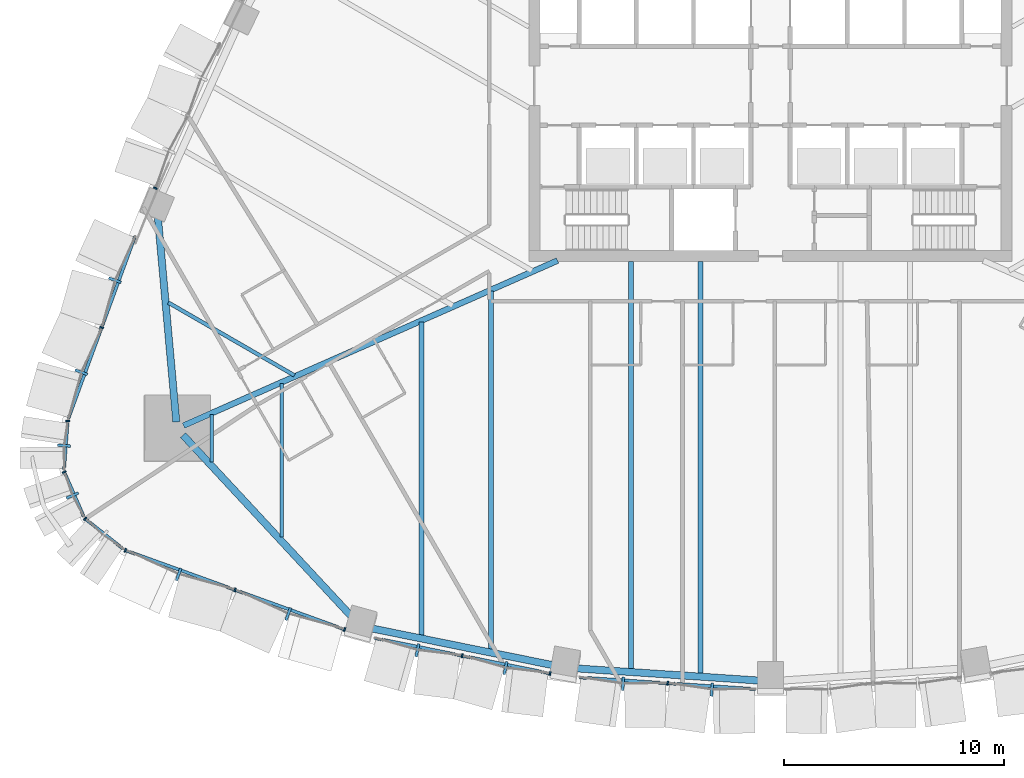
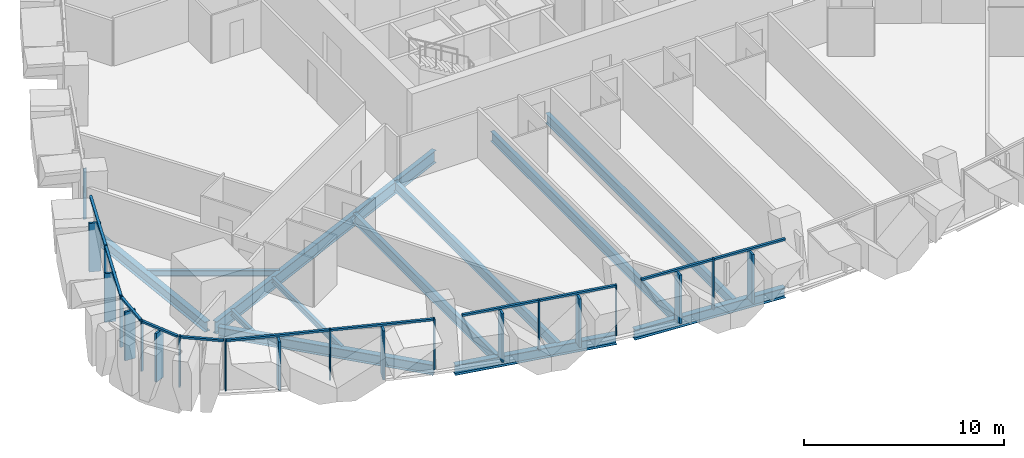
# One storey, part 2 of 24: 32 members, 12 beams, 8 elements without a shape of their own.
"""IFC4 building model written with IfcOpenShell, lengths in metres."""

from ifc_helpers import new_model, si_unit, direction, frame, origin, origin_2d, place, context, subcontext, project, spatial, rectangle, i_section, extrude, material, layer, layer_set, material_profile, profile_set, type_object, element, aggregate, save


model = new_model("IFC4")

# Units and contexts
model_context = context("Model", 3, precision=1e-05, world=origin(), true_north=direction((0.0, 1.0)))
body_context = subcontext(model_context, "Body", "Model", "MODEL_VIEW")
ifc_project = project(units=[si_unit("LENGTHUNIT", "METRE"), si_unit("AREAUNIT", "SQUARE_METRE"), si_unit("VOLUMEUNIT", "CUBIC_METRE"), si_unit("PLANEANGLEUNIT", "RADIAN"), si_unit("MASSUNIT", "GRAM", prefix="KILO")], contexts=[model_context])

# Site, building, storey
site_placement = place(None, origin())
site = spatial("IfcSite", under=ifc_project, at=site_placement, CompositionType="ELEMENT")
building_placement = place(site_placement, origin())
building = spatial("IfcBuilding", under=site, at=building_placement, Name="Sierra Prisma Convention Tower", CompositionType="ELEMENT")
storey_placement = place(building_placement, frame((0.0, 0.0, 55.39990234375)))
storey = spatial("IfcBuildingStorey", under=building, at=storey_placement, Name="L09", CompositionType="ELEMENT", Elevation=55.39990234375)

# Curtain wall, members
ifc_material_1 = material(Name="Aluminium and glass curtain wall", Category="aluminium")
ifc_layer = layer(ifc_material_1, 0.179931640625)
ifc_layer_set = layer_set([ifc_layer], Name="CW-2 Faceted crystal curtain wall")
curtain_wall_type = type_object("IfcCurtainWallType", Name="CW-2 Faceted crystal curtain wall", PredefinedType="NOTDEFINED", material=ifc_layer_set)
curtain_wall_1_placement = place(storey_placement, origin())
curtain_wall_1 = element("IfcCurtainWall", 1, at=curtain_wall_1_placement, inside=storey, type_object=curtain_wall_type, Name="CW-2 S1 L09", PredefinedType="NOTDEFINED")
ifc_material_2 = material(Name="Aluminium 6063-T6 bronze anodised", Category="aluminium")
ifc_material_profile_1 = material_profile(ifc_material_2, rectangle(XDim=0.1201171875, YDim=0.60009765625, at=origin_2d()), Name="ALU RIDGE BLADE 120x600")
ifc_profile_set_1 = profile_set([ifc_material_profile_1], Name="Aluminium 6063-T6 bronze anodised")
member_type_1 = type_object("IfcMemberType", Name="CW hip bronze", PredefinedType="MULLION", material=ifc_profile_set_1)
member_1_placement = place(storey_placement, frame((-26.93701171875, -22.23681640625, 0.0), z_axis=(0.0, 0.0, 1.0), x_axis=(0.940537753583, -0.339689172751, 0.0)))
member_1 = element("IfcMember", 2, at=member_1_placement, type_object=member_type_1, Name="CW-2 ridge S1.1", PredefinedType="MULLION", context=body_context, shape_type="SweptSolid", body=[
    extrude(rectangle(XDim=0.1201171875, YDim=0.60009765625, at=origin_2d()), origin(), (0.0, 0.0, 1.0), 2.97998046875),
])
member_2_placement = place(storey_placement, frame((-21.946533203125, -24.039306640625, 0.0), z_axis=(0.0, 0.0, 1.0), x_axis=(0.940537753583, -0.339689172751, 0.0)))
member_2 = element("IfcMember", 3, at=member_2_placement, type_object=member_type_1, Name="CW-2 ridge S1.2", PredefinedType="MULLION", context=body_context, shape_type="SweptSolid", body=[
    extrude(rectangle(XDim=0.1201171875, YDim=0.60009765625, at=origin_2d()), origin(), (0.0, 0.0, 1.0), 2.97998046875),
])

curtain_wall_2_placement = place(storey_placement, origin())
curtain_wall_2 = element("IfcCurtainWall", 4, at=curtain_wall_2_placement, inside=storey, type_object=curtain_wall_type, Name="CW-2 S2 L09", PredefinedType="NOTDEFINED")
member_3_placement = place(storey_placement, frame((-16.0654296875, -25.69189453125, 0.0), z_axis=(0.0, 0.0, 1.0), x_axis=(0.980244265586, -0.197790747474, 0.0)))
member_3 = element("IfcMember", 5, at=member_3_placement, type_object=member_type_1, Name="CW-2 ridge S2.1", PredefinedType="MULLION", context=body_context, shape_type="SweptSolid", body=[
    extrude(rectangle(XDim=0.1201171875, YDim=0.60009765625, at=origin_2d()), origin(), (0.0, 0.0, 1.0), 2.97998046875),
])
member_4_placement = place(storey_placement, frame((-12.061279296875, -26.5, 0.0), z_axis=(0.0, 0.0, 1.0), x_axis=(0.980244265586, -0.197790747474, 0.0)))
member_4 = element("IfcMember", 6, at=member_4_placement, type_object=member_type_1, Name="CW-2 ridge S2.2", PredefinedType="MULLION", context=body_context, shape_type="SweptSolid", body=[
    extrude(rectangle(XDim=0.1201171875, YDim=0.60009765625, at=origin_2d()), origin(), (0.0, 0.0, 1.0), 2.97998046875),
])

curtain_wall_3_placement = place(storey_placement, origin())
curtain_wall_3 = element("IfcCurtainWall", 7, at=curtain_wall_3_placement, inside=storey, type_object=curtain_wall_type, Name="CW-2 S3 L09", PredefinedType="NOTDEFINED")
member_5_placement = place(storey_placement, frame((-6.705810546875, -27.2177734375, 0.0), z_axis=(0.0, 0.0, 1.0), x_axis=(0.99781815917, -0.066022126828, 0.0)))
member_5 = element("IfcMember", 8, at=member_5_placement, type_object=member_type_1, Name="CW-2 ridge S3.1", PredefinedType="MULLION", context=body_context, shape_type="SweptSolid", body=[
    extrude(rectangle(XDim=0.1201171875, YDim=0.60009765625, at=origin_2d()), origin(), (0.0, 0.0, 1.0), 2.97998046875),
])
member_6_placement = place(storey_placement, frame((-2.66455078125, -27.485107421875, 0.0), z_axis=(0.0, 0.0, 1.0), x_axis=(0.99781815917, -0.066022126828, 0.0)))
member_6 = element("IfcMember", 9, at=member_6_placement, type_object=member_type_1, Name="CW-2 ridge S3.2", PredefinedType="MULLION", context=body_context, shape_type="SweptSolid", body=[
    extrude(rectangle(XDim=0.1201171875, YDim=0.60009765625, at=origin_2d()), origin(), (0.0, 0.0, 1.0), 2.97998046875),
])

curtain_wall_4_placement = place(storey_placement, origin())
curtain_wall_4 = element("IfcCurtainWall", 10, at=curtain_wall_4_placement, inside=storey, type_object=curtain_wall_type, Name="CW-2 NW6 L09", PredefinedType="NOTDEFINED")
member_7_placement = place(storey_placement, frame((-29.838134765625, -8.84814453125, 0.0), z_axis=(0.0, 0.0, 1.0), x_axis=(-0.343705619807, -0.939077444577, 0.0)))
member_7 = element("IfcMember", 11, at=member_7_placement, type_object=member_type_1, Name="CW-2 ridge NW6.1", PredefinedType="MULLION", context=body_context, shape_type="SweptSolid", body=[
    extrude(rectangle(XDim=0.1201171875, YDim=0.60009765625, at=origin_2d()), origin(), (0.0, 0.0, 1.0), 2.97998046875),
])
member_8_placement = place(storey_placement, frame((-31.37060546875, -13.034912109375, 0.0), z_axis=(0.0, 0.0, 1.0), x_axis=(-0.343705619807, -0.939077444577, 0.0)))
member_8 = element("IfcMember", 12, at=member_8_placement, type_object=member_type_1, Name="CW-2 ridge NW6.2", PredefinedType="MULLION", context=body_context, shape_type="SweptSolid", body=[
    extrude(rectangle(XDim=0.1201171875, YDim=0.60009765625, at=origin_2d()), origin(), (0.0, 0.0, 1.0), 2.97998046875),
])

# Curtain wall, member
curtain_wall_5_placement = place(storey_placement, origin())
curtain_wall_5 = element("IfcCurtainWall", 13, at=curtain_wall_5_placement, inside=storey, type_object=curtain_wall_type, Name="CW-2 SW1 L09", PredefinedType="NOTDEFINED")
member_9_placement = place(storey_placement, frame((-32.158447265625, -16.376708984375, 0.0), z_axis=(0.0, 0.0, 1.0), x_axis=(-0.073634467873, -0.997285297766, 0.0)))
member_9 = element("IfcMember", 14, at=member_9_placement, type_object=member_type_1, Name="CW-2 ridge SW1.1", PredefinedType="MULLION", context=body_context, shape_type="SweptSolid", body=[
    extrude(rectangle(XDim=0.1201171875, YDim=0.60009765625, at=origin_2d()), origin(), (0.0, 0.0, 1.0), 2.97998046875),
])

curtain_wall_6_placement = place(storey_placement, origin())
curtain_wall_6 = element("IfcCurtainWall", 15, at=curtain_wall_6_placement, inside=storey, type_object=curtain_wall_type, Name="CW-2 SW2 L09", PredefinedType="NOTDEFINED")
member_10_placement = place(storey_placement, frame((-31.76904296875, -18.64794921875, 0.0), z_axis=(0.0, 0.0, 1.0), x_axis=(0.401592862762, -0.915818307624, 0.0)))
member_10 = element("IfcMember", 16, at=member_10_placement, type_object=member_type_1, Name="CW-2 ridge SW2.1", PredefinedType="MULLION", context=body_context, shape_type="SweptSolid", body=[
    extrude(rectangle(XDim=0.1201171875, YDim=0.60009765625, at=origin_2d()), origin(), (0.0, 0.0, 1.0), 2.97998046875),
])

# Member
ifc_material_3 = material(Name="Aluminium 6063-T6 bronze anodised", Category="aluminium")
ifc_material_profile_2 = material_profile(ifc_material_3, rectangle(XDim=0.179931640625, YDim=0.070068359375, at=origin_2d()), Name="ALU MULLION 70x180")
ifc_profile_set_2 = profile_set([ifc_material_profile_2], Name="Aluminium 6063-T6 bronze anodised")
member_type_2 = type_object("IfcMemberType", Name="CW mullion bronze", PredefinedType="MULLION", material=ifc_profile_set_2)
member_11_placement = place(storey_placement, frame((-29.3623046875, -21.141845703125, 0.0), z_axis=(0.0, 0.0, 1.0), x_axis=(0.339689172751, 0.940537753583, 0.0)))
member_11 = element("IfcMember", 17, at=member_11_placement, type_object=member_type_2, Name="CW-1 mullion S1.1", PredefinedType="MULLION", context=body_context, shape_type="SweptSolid", body=[
    extrude(rectangle(XDim=0.179931640625, YDim=0.070068359375, at=origin_2d()), origin(), (0.0, 0.0, 1.0), 3.10009765625),
])

member_12_placement = place(storey_placement, frame((-24.371826171875, -22.9443359375, 0.0), z_axis=(0.0, 0.0, 1.0), x_axis=(0.339689172751, 0.940537753583, 0.0)))
member_12 = element("IfcMember", 18, at=member_12_placement, type_object=member_type_2, Name="CW-1 mullion S1.2", PredefinedType="MULLION", context=body_context, shape_type="SweptSolid", body=[
    extrude(rectangle(XDim=0.179931640625, YDim=0.070068359375, at=origin_2d()), origin(), (0.0, 0.0, 1.0), 3.10009765625),
])

member_13_placement = place(storey_placement, frame((-19.381103515625, -24.74658203125, 0.0), z_axis=(0.0, 0.0, 1.0), x_axis=(0.339689172751, 0.940537753583, 0.0)))
member_13 = element("IfcMember", 19, at=member_13_placement, type_object=member_type_2, Name="CW-1 mullion S1.3", PredefinedType="MULLION", context=body_context, shape_type="SweptSolid", body=[
    extrude(rectangle(XDim=0.179931640625, YDim=0.070068359375, at=origin_2d()), origin(), (0.0, 0.0, 1.0), 3.10009765625),
])

member_14_placement = place(storey_placement, frame((-14.0322265625, -25.941162109375, 0.0), z_axis=(0.0, 0.0, 1.0), x_axis=(0.197790747474, 0.980244265586, 0.0)))
member_14 = element("IfcMember", 20, at=member_14_placement, type_object=member_type_2, Name="CW-1 mullion S2.2", PredefinedType="MULLION", context=body_context, shape_type="SweptSolid", body=[
    extrude(rectangle(XDim=0.179931640625, YDim=0.070068359375, at=origin_2d()), origin(), (0.0, 0.0, 1.0), 3.10009765625),
])

member_15_placement = place(storey_placement, frame((-10.028076171875, -26.7490234375, 0.0), z_axis=(0.0, 0.0, 1.0), x_axis=(0.197790747474, 0.980244265586, 0.0)))
member_15 = element("IfcMember", 21, at=member_15_placement, type_object=member_type_2, Name="CW-1 mullion S2.3", PredefinedType="MULLION", context=body_context, shape_type="SweptSolid", body=[
    extrude(rectangle(XDim=0.179931640625, YDim=0.070068359375, at=origin_2d()), origin(), (0.0, 0.0, 1.0), 3.10009765625),
])

member_16_placement = place(storey_placement, frame((-4.6748046875, -27.1953125, 0.0), z_axis=(0.0, 0.0, 1.0), x_axis=(0.066022126828, 0.99781815917, 0.0)))
member_16 = element("IfcMember", 22, at=member_16_placement, type_object=member_type_2, Name="CW-1 mullion S3.2", PredefinedType="MULLION", context=body_context, shape_type="SweptSolid", body=[
    extrude(rectangle(XDim=0.179931640625, YDim=0.070068359375, at=origin_2d()), origin(), (0.0, 0.0, 1.0), 3.10009765625),
])

# Curtain wall, member
curtain_wall_7_placement = place(storey_placement, origin())
curtain_wall_7 = element("IfcCurtainWall", 23, at=curtain_wall_7_placement, inside=storey, type_object=curtain_wall_type, Name="CW-2 NW5 L09", PredefinedType="NOTDEFINED")
member_17_placement = place(storey_placement, frame((-27.997314453125, -4.65576171875, 0.0), z_axis=(0.0, 0.0, 1.0), x_axis=(0.913812790198, -0.406135672492, 0.0)))
member_17 = element("IfcMember", 24, at=member_17_placement, type_object=member_type_2, Name="CW-1 mullion NW5.3", PredefinedType="MULLION", context=body_context, shape_type="SweptSolid", body=[
    extrude(rectangle(XDim=0.179931640625, YDim=0.070068359375, at=origin_2d()), origin(), (0.0, 0.0, 1.0), 3.10009765625),
])
aggregate(curtain_wall_7, [member_17])

# Member
member_18_placement = place(storey_placement, frame((-30.442138671875, -11.000732421875, 0.0), z_axis=(0.0, 0.0, 1.0), x_axis=(0.939077444577, -0.343705619807, 0.0)))
member_18 = element("IfcMember", 25, at=member_18_placement, type_object=member_type_2, Name="CW-1 mullion NW6.2", PredefinedType="MULLION", context=body_context, shape_type="SweptSolid", body=[
    extrude(rectangle(XDim=0.179931640625, YDim=0.070068359375, at=origin_2d()), origin(), (0.0, 0.0, 1.0), 3.10009765625),
])

member_19_placement = place(storey_placement, frame((-31.9892578125, -15.25537109375, 0.0), z_axis=(0.0, 0.0, 1.0), x_axis=(0.997285297766, -0.073634467873, 0.0)))
member_19 = element("IfcMember", 26, at=member_19_placement, type_object=member_type_2, Name="CW-1 mullion SW1.1", PredefinedType="MULLION", context=body_context, shape_type="SweptSolid", body=[
    extrude(rectangle(XDim=0.179931640625, YDim=0.070068359375, at=origin_2d()), origin(), (0.0, 0.0, 1.0), 3.10009765625),
])

member_20_placement = place(storey_placement, frame((-32.144287109375, -17.57763671875, 0.0), z_axis=(0.0, 0.0, 1.0), x_axis=(0.915818307624, 0.401592862762, 0.0)))
member_20 = element("IfcMember", 27, at=member_20_placement, type_object=member_type_2, Name="CW-1 mullion SW2.1", PredefinedType="MULLION", context=body_context, shape_type="SweptSolid", body=[
    extrude(rectangle(XDim=0.179931640625, YDim=0.070068359375, at=origin_2d()), origin(), (0.0, 0.0, 1.0), 3.10009765625),
])

# Curtain wall, member
curtain_wall_8_placement = place(storey_placement, origin())
curtain_wall_8 = element("IfcCurtainWall", 28, at=curtain_wall_8_placement, inside=storey, type_object=curtain_wall_type, Name="CW-2 SW3 L09", PredefinedType="NOTDEFINED")
member_21_placement = place(storey_placement, frame((-31.194580078125, -19.70263671875, 0.0), z_axis=(0.0, 0.0, 1.0), x_axis=(0.621443813108, 0.783458733533, 0.0)))
member_21 = element("IfcMember", 29, at=member_21_placement, type_object=member_type_2, Name="CW-1 mullion SW3.1", PredefinedType="MULLION", context=body_context, shape_type="SweptSolid", body=[
    extrude(rectangle(XDim=0.179931640625, YDim=0.070068359375, at=origin_2d()), origin(), (0.0, 0.0, 1.0), 3.10009765625),
])

# Member
ifc_material_4 = material(Name="Aluminium 6063-T6 bronze anodised", Category="aluminium")
ifc_material_profile_3 = material_profile(ifc_material_4, rectangle(XDim=0.139892578125, YDim=0.1201171875, at=origin_2d()), Name="ALU TRANSOM 120x140")
ifc_profile_set_3 = profile_set([ifc_material_profile_3], Name="Aluminium 6063-T6 bronze anodised")
member_type_3 = type_object("IfcMemberType", Name="CW transom bronze", PredefinedType="USERDEFINED", material=ifc_profile_set_3)
member_22_placement = place(storey_placement, frame((-29.329345703125, -21.15380859375, 3.0400390625), z_axis=(0.94053858939, -0.339686858545, 0.0), x_axis=(0.339686858545, 0.94053858939, 0.0)))
member_22 = element("IfcMember", 30, at=member_22_placement, type_object=member_type_3, Name="CW-1 transom S1.1", ObjectType="TRANSOM", PredefinedType="USERDEFINED", context=body_context, shape_type="SweptSolid", body=[
    extrude(rectangle(XDim=0.139892578125, YDim=0.1201171875, at=origin_2d()), origin(), (0.0, 0.0, 1.0), 5.23583984375),
])

member_23_placement = place(storey_placement, frame((-24.3388671875, -22.9560546875, 3.0400390625), z_axis=(0.940529072695, -0.339713207597, 0.0), x_axis=(0.339713207597, 0.940529072695, 0.0)))
member_23 = element("IfcMember", 31, at=member_23_placement, type_object=member_type_3, Name="CW-1 transom S1.2", ObjectType="TRANSOM", PredefinedType="USERDEFINED", context=body_context, shape_type="SweptSolid", body=[
    extrude(rectangle(XDim=0.139892578125, YDim=0.1201171875, at=origin_2d()), origin(), (0.0, 0.0, 1.0), 5.236328125),
])

aggregate(curtain_wall_1, [member_11, member_12, member_13, member_22, member_1, member_23, member_2])

member_24_placement = place(storey_placement, frame((-18.001953125, -25.14013671875, 3.0400390625), z_axis=(0.980251872282, -0.197753045202, 0.0), x_axis=(0.197753045202, 0.980251872282, 0.0)))
member_24 = element("IfcMember", 32, at=member_24_placement, type_object=member_type_3, Name="CW-1 transom S2.1", ObjectType="TRANSOM", PredefinedType="USERDEFINED", context=body_context, shape_type="SweptSolid", body=[
    extrude(rectangle(XDim=0.139892578125, YDim=0.1201171875, at=origin_2d()), origin(), (0.0, 0.0, 1.0), 4.014892578125),
])

member_25_placement = place(storey_placement, frame((-13.997802734375, -25.947998046875, 3.0400390625), z_axis=(0.980240082862, -0.197811475779, 0.0), x_axis=(0.197811475779, 0.980240082862, 0.0)))
member_25 = element("IfcMember", 33, at=member_25_placement, type_object=member_type_3, Name="CW-1 transom S2.2", ObjectType="TRANSOM", PredefinedType="USERDEFINED", context=body_context, shape_type="SweptSolid", body=[
    extrude(rectangle(XDim=0.139892578125, YDim=0.1201171875, at=origin_2d()), origin(), (0.0, 0.0, 1.0), 4.014892578125),
])

aggregate(curtain_wall_2, [member_14, member_15, member_24, member_3, member_25, member_4])

member_26_placement = place(storey_placement, frame((-8.68115234375, -26.93017578125, 3.0400390625), z_axis=(0.997819493773, -0.06600195336, 0.0), x_axis=(0.06600195336, 0.997819493773, 0.0)))
member_26 = element("IfcMember", 34, at=member_26_placement, type_object=member_type_3, Name="CW-1 transom S3.1", ObjectType="TRANSOM", PredefinedType="USERDEFINED", context=body_context, shape_type="SweptSolid", body=[
    extrude(rectangle(XDim=0.139892578125, YDim=0.1201171875, at=origin_2d()), origin(), (0.0, 0.0, 1.0), 3.980224609375),
])

member_27_placement = place(storey_placement, frame((-4.639892578125, -27.197509765625, 3.0400390625), z_axis=(0.997819493773, -0.06600195336, 0.0), x_axis=(0.06600195336, 0.997819493773, 0.0)))
member_27 = element("IfcMember", 35, at=member_27_placement, type_object=member_type_3, Name="CW-1 transom S3.2", ObjectType="TRANSOM", PredefinedType="USERDEFINED", context=body_context, shape_type="SweptSolid", body=[
    extrude(rectangle(XDim=0.139892578125, YDim=0.1201171875, at=origin_2d()), origin(), (0.0, 0.0, 1.0), 3.980224609375),
])

aggregate(curtain_wall_3, [member_16, member_26, member_5, member_27, member_6])

member_28_placement = place(storey_placement, frame((-28.921875, -6.846923828125, 3.0400390625), z_axis=(-0.343698806748, -0.939079938152, 0.0), x_axis=(0.939079938152, -0.343698806748, 0.0)))
member_28 = element("IfcMember", 36, at=member_28_placement, type_object=member_type_3, Name="CW-1 transom NW6.1", ObjectType="TRANSOM", PredefinedType="USERDEFINED", context=body_context, shape_type="SweptSolid", body=[
    extrude(rectangle(XDim=0.139892578125, YDim=0.1201171875, at=origin_2d()), origin(), (0.0, 0.0, 1.0), 4.388427734375),
])

member_29_placement = place(storey_placement, frame((-30.454345703125, -11.03369140625, 3.0400390625), z_axis=(-0.343716763669, -0.93907336581, 0.0), x_axis=(0.93907336581, -0.343716763669, 0.0)))
member_29 = element("IfcMember", 37, at=member_29_placement, type_object=member_type_3, Name="CW-1 transom NW6.2", ObjectType="TRANSOM", PredefinedType="USERDEFINED", context=body_context, shape_type="SweptSolid", body=[
    extrude(rectangle(XDim=0.139892578125, YDim=0.1201171875, at=origin_2d()), origin(), (0.0, 0.0, 1.0), 4.38818359375),
])

aggregate(curtain_wall_4, [member_18, member_28, member_7, member_29, member_8])

member_30_placement = place(storey_placement, frame((-31.99169921875, -15.290283203125, 3.0400390625), z_axis=(-0.073637781512, -0.997285053099, 0.0), x_axis=(0.997285053099, -0.073637781512, 0.0)))
member_30 = element("IfcMember", 38, at=member_30_placement, type_object=member_type_3, Name="CW-1 transom SW1.1", ObjectType="TRANSOM", PredefinedType="USERDEFINED", context=body_context, shape_type="SweptSolid", body=[
    extrude(rectangle(XDim=0.139892578125, YDim=0.1201171875, at=origin_2d()), origin(), (0.0, 0.0, 1.0), 2.19140625),
])

aggregate(curtain_wall_5, [member_19, member_30, member_9])

member_31_placement = place(storey_placement, frame((-32.130126953125, -17.60986328125, 3.0400390625), z_axis=(0.401595930988, -0.915816962178, 0.0), x_axis=(0.915816962178, 0.401595930988, 0.0)))
member_31 = element("IfcMember", 39, at=member_31_placement, type_object=member_type_3, Name="CW-1 transom SW2.1", ObjectType="TRANSOM", PredefinedType="USERDEFINED", context=body_context, shape_type="SweptSolid", body=[
    extrude(rectangle(XDim=0.139892578125, YDim=0.1201171875, at=origin_2d()), origin(), (0.0, 0.0, 1.0), 2.191650390625),
])

aggregate(curtain_wall_6, [member_20, member_31, member_10])

member_32_placement = place(storey_placement, frame((-31.1669921875, -19.724365234375, 3.0400390625), z_axis=(0.783394802371, -0.621524403075, 0.0), x_axis=(0.621524403075, 0.783394802371, 0.0)))
member_32 = element("IfcMember", 40, at=member_32_placement, type_object=member_type_3, Name="CW-1 transom SW3.1", ObjectType="TRANSOM", PredefinedType="USERDEFINED", context=body_context, shape_type="SweptSolid", body=[
    extrude(rectangle(XDim=0.139892578125, YDim=0.1201171875, at=origin_2d()), origin(), (0.0, 0.0, 1.0), 2.19140625),
])

aggregate(curtain_wall_8, [member_21, member_32])

# Beams
ifc_material_5 = material(Name="Steel ASTM A992 Gr 50", Category="steel")
ifc_material_profile_4 = material_profile(ifc_material_5, i_section(OverallWidth=0.172119140625, OverallDepth=0.35791015625, WebThickness=0.0078125, FlangeThickness=0.01318359375, at=origin_2d()), Name="W360x57")
ifc_profile_set_4 = profile_set([ifc_material_profile_4], Name="Steel ASTM A992 Gr 50")
beam_type_1 = type_object("IfcBeamType", Name="Floor joist W360x57", PredefinedType="JOIST", material=ifc_profile_set_4)
beam_1_placement = place(storey_placement, frame((-25.42626953125, -17.119140625, -0.328857421875), z_axis=(0.0, 1.0, 0.0), x_axis=(-1.0, 0.0, 0.0)))
element("IfcBeam", 41, at=beam_1_placement, inside=storey, type_object=beam_type_1, Name="Floor joist L09 S01", PredefinedType="JOIST", context=body_context, shape_type="SweptSolid", body=[
    extrude(i_section(OverallWidth=0.172119140625, OverallDepth=0.35791015625, WebThickness=0.0078125, FlangeThickness=0.01318359375, at=origin_2d()), origin(), (0.0, 0.0, 1.0), 2.165283203125),
])
beam_2_placement = place(storey_placement, frame((-22.247802734375, -20.54052734375, -0.328857421875), z_axis=(0.0, 1.0, 0.0), x_axis=(-1.0, 0.0, 0.0)))
element("IfcBeam", 42, at=beam_2_placement, inside=storey, type_object=beam_type_1, Name="Floor joist L09 S02", PredefinedType="JOIST", context=body_context, shape_type="SweptSolid", body=[
    extrude(i_section(OverallWidth=0.172119140625, OverallDepth=0.35791015625, WebThickness=0.0078125, FlangeThickness=0.01318359375, at=origin_2d()), origin(), (0.0, 0.0, 1.0), 6.9892578125),
])
beam_3_placement = place(storey_placement, frame((-27.409912109375, -9.864501953125, -0.328857421875), z_axis=(0.86601142976, -0.500024202939, 0.0), x_axis=(0.500024202939, 0.86601142976, 0.0)))
element("IfcBeam", 43, at=beam_3_placement, inside=storey, type_object=beam_type_1, Name="Floor joist L09 NW16", PredefinedType="JOIST", context=body_context, shape_type="SweptSolid", body=[
    extrude(i_section(OverallWidth=0.172119140625, OverallDepth=0.35791015625, WebThickness=0.0078125, FlangeThickness=0.01318359375, at=origin_2d()), origin(), (0.0, 0.0, 1.0), 6.630126953125),
])
ifc_material_6 = material(Name="Steel ASTM A992 Gr 50", Category="steel")
ifc_material_profile_5 = material_profile(ifc_material_6, i_section(OverallWidth=0.22802734375, OverallDepth=0.60302734375, WebThickness=0.010498046875, FlangeThickness=0.014892578125, at=origin_2d()), Name="W610x101")
ifc_profile_set_5 = profile_set([ifc_material_profile_5], Name="Steel ASTM A992 Gr 50")
beam_type_2 = type_object("IfcBeamType", Name="Floor joist W610x101", PredefinedType="JOIST", material=ifc_profile_set_5)
beam_4_placement = place(storey_placement, frame((-15.891357421875, -25.038818359375, -0.451416015625), z_axis=(0.0, 1.0, 0.0), x_axis=(-1.0, 0.0, 0.0)))
element("IfcBeam", 44, at=beam_4_placement, inside=storey, type_object=beam_type_2, Name="Floor joist L09 S04", PredefinedType="JOIST", context=body_context, shape_type="SweptSolid", body=[
    extrude(i_section(OverallWidth=0.22802734375, OverallDepth=0.60302734375, WebThickness=0.010498046875, FlangeThickness=0.014892578125, at=origin_2d()), origin(), (0.0, 0.0, 1.0), 14.292724609375),
])
beam_5_placement = place(storey_placement, frame((-12.713134765625, -25.683837890625, -0.451416015625), z_axis=(0.0, 1.0, 0.0), x_axis=(-1.0, 0.0, 0.0)))
element("IfcBeam", 45, at=beam_5_placement, inside=storey, type_object=beam_type_2, Name="Floor joist L09 S05", PredefinedType="JOIST", context=body_context, shape_type="SweptSolid", body=[
    extrude(i_section(OverallWidth=0.22802734375, OverallDepth=0.60302734375, WebThickness=0.010498046875, FlangeThickness=0.014892578125, at=origin_2d()), origin(), (0.0, 0.0, 1.0), 16.34033203125),
])
beam_6_placement = place(storey_placement, frame((-6.3564453125, -26.56884765625, -0.451416015625), z_axis=(0.0, 1.0, 0.0), x_axis=(-1.0, 0.0, 0.0)))
element("IfcBeam", 46, at=beam_6_placement, inside=storey, type_object=beam_type_2, Name="Floor joist L09 S07", PredefinedType="JOIST", context=body_context, shape_type="SweptSolid", body=[
    extrude(i_section(OverallWidth=0.22802734375, OverallDepth=0.60302734375, WebThickness=0.010498046875, FlangeThickness=0.014892578125, at=origin_2d()), origin(), (0.0, 0.0, 1.0), 18.56884765625),
])
beam_7_placement = place(storey_placement, frame((-3.17822265625, -26.7802734375, -0.451416015625), z_axis=(0.0, 1.0, 0.0), x_axis=(-1.0, 0.0, 0.0)))
element("IfcBeam", 47, at=beam_7_placement, inside=storey, type_object=beam_type_2, Name="Floor joist L09 S08", PredefinedType="JOIST", context=body_context, shape_type="SweptSolid", body=[
    extrude(i_section(OverallWidth=0.22802734375, OverallDepth=0.60302734375, WebThickness=0.010498046875, FlangeThickness=0.014892578125, at=origin_2d()), origin(), (0.0, 0.0, 1.0), 18.7802734375),
])
ifc_material_7 = material(Name="Steel ASTM A992 Gr 50", Category="steel")
ifc_material_profile_6 = material_profile(ifc_material_7, i_section(OverallWidth=0.264892578125, OverallDepth=0.7529296875, WebThickness=0.01318359375, FlangeThickness=0.01708984375, at=origin_2d()), Name="W760x147")
ifc_profile_set_6 = profile_set([ifc_material_profile_6], Name="Steel ASTM A992 Gr 50")
beam_type_3 = type_object("IfcBeamType", Name="Radial girder W760x147", PredefinedType="BEAM", material=ifc_profile_set_6)
beam_8_placement = place(storey_placement, frame((-26.71533203125, -15.46484375, -0.5263671875), z_axis=(0.914876329789, 0.403734196213, 0.0), x_axis=(-0.403734196213, 0.914876329789, 0.0)))
element("IfcBeam", 48, at=beam_8_placement, inside=storey, type_object=beam_type_3, Name="Radial girder L09 SW", PredefinedType="BEAM", context=body_context, shape_type="SweptSolid", body=[
    extrude(i_section(OverallWidth=0.264892578125, OverallDepth=0.7529296875, WebThickness=0.01318359375, FlangeThickness=0.01708984375, at=origin_2d()), origin(), (0.0, 0.0, 1.0), 18.609130859375),
])
ifc_material_8 = material(Name="Steel ASTM A992 Gr 50", Category="steel")
ifc_material_profile_7 = material_profile(ifc_material_8, i_section(OverallWidth=0.324951171875, OverallDepth=0.615966796875, WebThickness=0.013916015625, FlangeThickness=0.021484375, at=origin_2d()), Name="W610x174")
ifc_profile_set_7 = profile_set([ifc_material_profile_7], Name="Steel ASTM A992 Gr 50")
beam_type_4 = type_object("IfcBeamType", Name="Spandrel beam W610x174", PredefinedType="BEAM", material=ifc_profile_set_7)
beam_9_placement = place(storey_placement, frame((-26.736572265625, -15.897216796875, -0.4580078125), z_axis=(0.680597156204, -0.732657840309, 0.0), x_axis=(0.732657840309, 0.680597156204, 0.0)))
element("IfcBeam", 49, at=beam_9_placement, inside=storey, type_object=beam_type_4, Name="Spandrel L09-01", PredefinedType="BEAM", context=body_context, shape_type="SweptSolid", body=[
    extrude(i_section(OverallWidth=0.324951171875, OverallDepth=0.615966796875, WebThickness=0.013916015625, FlangeThickness=0.021484375, at=origin_2d()), origin(), (0.0, 0.0, 1.0), 11.282958984375),
])
beam_10_placement = place(storey_placement, frame((-18.18701171875, -24.688720703125, -0.4580078125), z_axis=(0.980015642485, -0.198920437574, 0.0), x_axis=(0.198920437574, 0.980015642485, 0.0)))
element("IfcBeam", 50, at=beam_10_placement, inside=storey, type_object=beam_type_4, Name="Spandrel L09-02", PredefinedType="BEAM", context=body_context, shape_type="SweptSolid", body=[
    extrude(i_section(OverallWidth=0.324951171875, OverallDepth=0.615966796875, WebThickness=0.013916015625, FlangeThickness=0.021484375, at=origin_2d()), origin(), (0.0, 0.0, 1.0), 8.5361328125),
])
beam_11_placement = place(storey_placement, frame((-8.869384765625, -26.514404296875, -0.4580078125), z_axis=(0.99779247547, -0.066409155212, 0.0), x_axis=(0.066409155212, 0.99779247547, 0.0)))
element("IfcBeam", 51, at=beam_11_placement, inside=storey, type_object=beam_type_4, Name="Spandrel L09-03", PredefinedType="BEAM", context=body_context, shape_type="SweptSolid", body=[
    extrude(i_section(OverallWidth=0.324951171875, OverallDepth=0.615966796875, WebThickness=0.013916015625, FlangeThickness=0.021484375, at=origin_2d()), origin(), (0.0, 0.0, 1.0), 8.40771484375),
])
beam_12_placement = place(storey_placement, frame((-27.882568359375, -5.97314453125, -0.4580078125), z_axis=(0.089759797056, -0.995963442518, 0.0), x_axis=(0.995963442518, 0.089759797056, 0.0)))
element("IfcBeam", 52, at=beam_12_placement, inside=storey, type_object=beam_type_4, Name="Spandrel L09-18", PredefinedType="BEAM", context=body_context, shape_type="SweptSolid", body=[
    extrude(i_section(OverallWidth=0.324951171875, OverallDepth=0.615966796875, WebThickness=0.013916015625, FlangeThickness=0.021484375, at=origin_2d()), origin(), (0.0, 0.0, 1.0), 9.362060546875),
])

save(model, "model.ifc")
